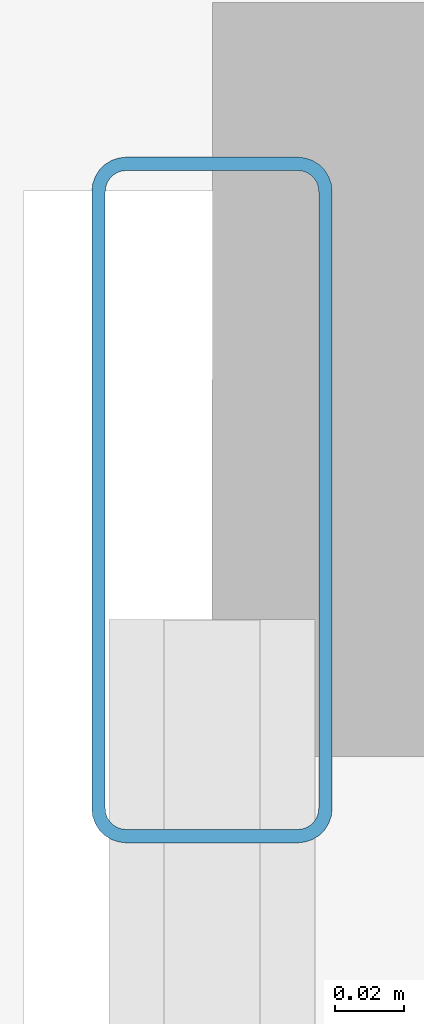
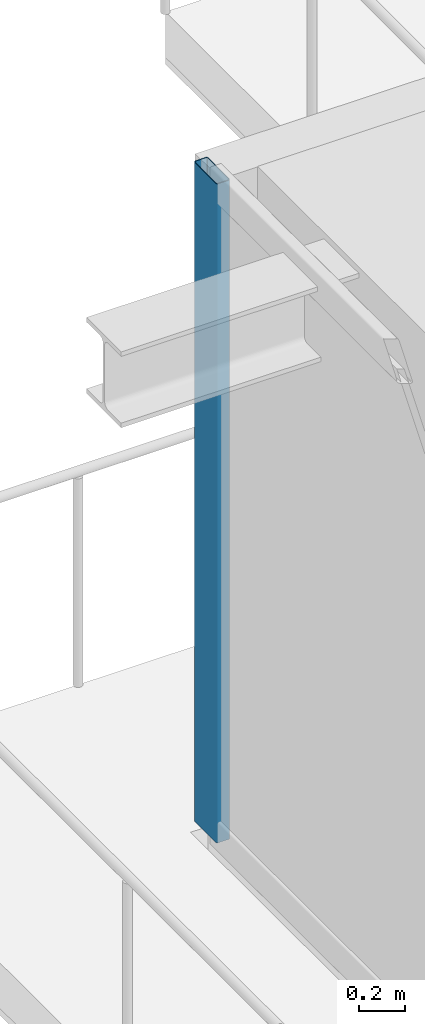
# One storey, part 18 of 39: 1 member, 1 element without a shape of its own.
"""IFC4 building model written with IfcOpenShell, lengths in metres."""

import ifcopenshell
import ifcopenshell.guid

model = None  # the IFC model being written
_history = None  # IfcOwnerHistory: only IFC2X3 demands one
_inside = {}  # id of a spatial element -> (the spatial element, [elements in it])
_under = {}  # id of a project, library or spatial element -> (it, [spatial elements below it])
_declared = {}  # id of a project -> (the project, [libraries it declares])
_typed = {}  # id of a type object -> (the type object, [elements of that type])
_made_of = {}  # id of a material, layer set ... -> (it, [elements and type objects made of it])


def new_model(schema):
    """Start an empty IFC model of exactly this schema.

    Asked for "IFC4X3", IfcOpenShell would pick the latest addendum, in which some entities
    have other attributes; the version numbers below select the first issue.
    IFC2X3 requires an IfcOwnerHistory on every rooted entity: one is made here for all.
    """
    global model, _history
    if schema == "IFC4X3":
        model = ifcopenshell.file(schema_version=(4, 3, 0, 0))
    else:
        model = ifcopenshell.file(schema=schema)
    _inside.clear()
    _under.clear()
    _declared.clear()
    _typed.clear()
    _made_of.clear()
    _history = None
    if model.schema == "IFC2X3":
        org = make("IfcOrganization", Name="unknown")
        user = make(
            "IfcPersonAndOrganization",
            ThePerson=make("IfcPerson", FamilyName="unknown"),
            TheOrganization=org,
        )
        app = make(
            "IfcApplication",
            ApplicationDeveloper=org,
            Version="unknown",
            ApplicationFullName="unknown",
            ApplicationIdentifier="unknown",
        )
        _history = make(
            "IfcOwnerHistory",
            OwningUser=user,
            OwningApplication=app,
            ChangeAction="ADDED",
            CreationDate=0,
        )
    return model


def make(cls, **values):
    """One entity of the class cls with the attributes given. An attribute that is None is left unset."""
    return model.create_entity(
        cls, **{name: value for name, value in values.items() if value is not None}
    )


def rooted(cls, **values):
    """An entity with a GlobalId (a new one), such as an element, a storey or a relation."""
    return make(cls, GlobalId=ifcopenshell.guid.new(), OwnerHistory=_history, **values)


def si_unit(unit_type, name, prefix=None):
    """IfcSIUnit, for example si_unit("LENGTHUNIT", "METRE", prefix="MILLI")."""
    return make("IfcSIUnit", UnitType=unit_type, Prefix=prefix, Name=name)


def assignment(units):
    """IfcUnitAssignment: the units of a project."""
    return None if units is None else make("IfcUnitAssignment", Units=units)


def point(xyz):
    """IfcCartesianPoint."""
    return None if xyz is None else make("IfcCartesianPoint", Coordinates=xyz)


def direction(xyz):
    """IfcDirection."""
    return None if xyz is None else make("IfcDirection", DirectionRatios=xyz)


def frame(location, z_axis=None, x_axis=None):
    """IfcAxis2Placement3D, a coordinate frame: its origin and axes. An axis left out is left unset."""
    return make(
        "IfcAxis2Placement3D",
        Location=point(location),
        Axis=direction(z_axis),
        RefDirection=direction(x_axis),
    )


def frame_2d(location, x_axis=None):
    """IfcAxis2Placement2D, a coordinate frame in the plane: its origin and x axis."""
    return make(
        "IfcAxis2Placement2D", Location=point(location), RefDirection=direction(x_axis)
    )


def origin():
    """The frame at (0, 0, 0) with its axes left unset."""
    return frame((0.0, 0.0, 0.0))


def origin_2d():
    """The frame at (0, 0) in the plane with its x axis left unset."""
    return frame_2d((0.0, 0.0))


def place(relative_to, where):
    """IfcLocalPlacement: puts the frame where relative to a parent placement (None: the world)."""
    return make(
        "IfcLocalPlacement", PlacementRelTo=relative_to, RelativePlacement=where
    )


def context(
    kind, dimensions, precision=None, world=None, true_north=None, identifier=None
):
    """IfcGeometricRepresentationContext, for example the 3D "Model" context."""
    return make(
        "IfcGeometricRepresentationContext",
        ContextIdentifier=identifier,
        ContextType=kind,
        CoordinateSpaceDimension=dimensions,
        Precision=precision,
        WorldCoordinateSystem=world,
        TrueNorth=true_north,
    )


def subcontext(parent, identifier, kind, view, scale=None):
    """IfcGeometricRepresentationSubContext, for example "Body" below "Model"."""
    return make(
        "IfcGeometricRepresentationSubContext",
        ContextIdentifier=identifier,
        ContextType=kind,
        ParentContext=parent,
        TargetScale=scale,
        TargetView=view,
    )


def project(units=None, contexts=None):
    """IfcProject with its units and contexts."""
    return rooted(
        "IfcProject",
        Name="project",
        RepresentationContexts=contexts,
        UnitsInContext=assignment(units),
    )


def spatial(cls, under=None, at=None, **own):
    """A site, building, storey or space (cls), placed at a placement, below another one or the project."""
    s = rooted(cls, ObjectPlacement=at, **own)
    if under is not None:
        _under.setdefault(under.id(), (under, []))[1].append(s)
    return s


def profile(cls, at=None, kind="AREA", **sizes):
    """A parametric profile (cls). Its sizes go by their IFC names, for example OverallWidth=200.0."""
    return make(cls, ProfileType=kind, Position=at, **sizes)


def hollow_rectangle(**sizes):
    """IfcRectangleHollowProfileDef."""
    return profile("IfcRectangleHollowProfileDef", **sizes)


def extrude(swept, where, along, depth):
    """IfcExtrudedAreaSolid: the profile swept, set in the frame where, extruded along a direction by depth."""
    return make(
        "IfcExtrudedAreaSolid",
        SweptArea=swept,
        Position=where,
        ExtrudedDirection=direction(along),
        Depth=depth,
    )


def shape(context_of_items, identifier, shape_type, items):
    """IfcShapeRepresentation: the items that make up one representation, for example the "Body"."""
    return make(
        "IfcShapeRepresentation",
        ContextOfItems=context_of_items,
        RepresentationIdentifier=identifier,
        RepresentationType=shape_type,
        Items=items,
    )


def source(mapping_origin, context_of_items, identifier, shape_type, items):
    """IfcRepresentationMap: a shape defined once, which mapped items show again and again."""
    return make(
        "IfcRepresentationMap",
        MappingOrigin=mapping_origin,
        MappedRepresentation=shape(context_of_items, identifier, shape_type, items),
    )


def transform(
    local_origin,
    x_axis=None,
    y_axis=None,
    z_axis=None,
    scale=None,
    scale2=None,
    scale3=None,
    uniform=True,
):
    """IfcCartesianTransformationOperator3D, or its non-uniform kind. x_axis, y_axis, z_axis: its Axis1, 2, 3."""
    if uniform:
        return make(
            "IfcCartesianTransformationOperator3D",
            Axis1=direction(x_axis),
            Axis2=direction(y_axis),
            LocalOrigin=point(local_origin),
            Scale=scale,
            Axis3=direction(z_axis),
        )
    return make(
        "IfcCartesianTransformationOperator3DnonUniform",
        Axis1=direction(x_axis),
        Axis2=direction(y_axis),
        LocalOrigin=point(local_origin),
        Scale=scale,
        Axis3=direction(z_axis),
        Scale2=scale2,
        Scale3=scale3,
    )


def mapped(mapping_source, mapping_target):
    """IfcMappedItem: shows the shape of a source again, moved by a transform."""
    return make(
        "IfcMappedItem", MappingSource=mapping_source, MappingTarget=mapping_target
    )


def material(Name=None, Category=None):
    """IfcMaterial."""
    return make("IfcMaterial", Name=Name, Category=Category)


def layer(
    of_material, thickness, ventilated=None, Name=None, Category=None, Priority=None
):
    """IfcMaterialLayer: one layer of a wall or slab, of a material (None: an air gap)."""
    return make(
        "IfcMaterialLayer",
        Material=of_material,
        LayerThickness=thickness,
        IsVentilated=ventilated,
        Name=Name,
        Category=Category,
        Priority=Priority,
    )


def layer_set(layers, Name=None):
    """IfcMaterialLayerSet."""
    return make("IfcMaterialLayerSet", MaterialLayers=layers, LayerSetName=Name)


def material_profile(
    of_material, cross_section, Name=None, Category=None, Priority=None
):
    """IfcMaterialProfile: a cross section and its material."""
    return make(
        "IfcMaterialProfile",
        Name=Name,
        Material=of_material,
        Profile=cross_section,
        Priority=Priority,
        Category=Category,
    )


def profile_set(profiles, Name=None, composite=None):
    """IfcMaterialProfileSet."""
    return make(
        "IfcMaterialProfileSet",
        Name=Name,
        MaterialProfiles=profiles,
        CompositeProfile=composite,
    )


def made_of(thing, what):
    """Note that an element or type object is made of a material, layer set ...; save() writes the relation."""
    if what is not None:
        _made_of.setdefault(what.id(), (what, []))[1].append(thing)
    return thing


def type_object(cls, material=None, **own):
    """A type object (cls), such as IfcWallType, which elements share."""
    return made_of(rooted(cls, **own), material)


def element(
    cls,
    number,
    at=None,
    inside=None,
    cuts=None,
    type_object=None,
    material=None,
    context=None,
    identifier="Body",
    shape_type=None,
    held_by="IfcProductDefinitionShape",
    body=None,
    shapes=None,
    **own,
):
    """One element of the class cls, such as IfcWall. Its Tag is "e" and its number.

    at: its placement. inside: the storey or other place that contains it. cuts: it is an
    opening in that element (IfcRelVoidsElement). A single representation is given by context,
    identifier, shape_type and body (its items); several are given by shapes. held_by: the class
    of the entity that holds the representations. save() writes the other relations.
    """
    e = rooted(cls, Tag="e%d" % number, ObjectPlacement=at, **own)
    if body is not None:
        shapes = [shape(context, identifier, shape_type, body)]
    if shapes is not None:
        e.Representation = make(held_by, Representations=shapes)
    if inside is not None:
        _inside.setdefault(inside.id(), (inside, []))[1].append(e)
    if cuts is not None:
        rooted(
            "IfcRelVoidsElement", RelatingBuildingElement=cuts, RelatedOpeningElement=e
        )
    if type_object is not None:
        _typed.setdefault(type_object.id(), (type_object, []))[1].append(e)
    return made_of(e, material)


def aggregate(whole, parts):
    """IfcRelAggregates: a whole, such as a stair, and the parts it consists of."""
    return rooted("IfcRelAggregates", RelatingObject=whole, RelatedObjects=parts)


def save(model, path):
    """Write the relations noted so far, then the file.

    IfcRelAggregates (storeys below a building ...), IfcRelContainedInSpatialStructure (elements
    in a storey), IfcRelDefinesByType, IfcRelAssociatesMaterial and IfcRelDeclares: one each for
    every whole, place, type object, material and project.
    """
    for whole, parts in _under.values():
        aggregate(whole, parts)
    for where, things in _inside.values():
        rooted(
            "IfcRelContainedInSpatialStructure",
            RelatedElements=things,
            RelatingStructure=where,
        )
    for kind, things in _typed.values():
        rooted("IfcRelDefinesByType", RelatedObjects=things, RelatingType=kind)
    for what, things in _made_of.values():
        rooted("IfcRelAssociatesMaterial", RelatedObjects=things, RelatingMaterial=what)
    for by, libraries in _declared.values():
        rooted("IfcRelDeclares", RelatingContext=by, RelatedDefinitions=libraries)
    model.write(path)


model = new_model("IFC4")

# Units and contexts
model_context = context("Model", 3, precision=1e-05, world=origin(), true_north=direction((0.0, 1.0)))
body_context = subcontext(model_context, "Body", "Model", "MODEL_VIEW")
ifc_project = project(units=[si_unit("LENGTHUNIT", "METRE"), si_unit("AREAUNIT", "SQUARE_METRE"), si_unit("VOLUMEUNIT", "CUBIC_METRE"), si_unit("PLANEANGLEUNIT", "RADIAN"), si_unit("MASSUNIT", "GRAM", prefix="KILO")], contexts=[model_context])

# Site, building, storey
site_placement = place(None, origin())
site = spatial("IfcSite", under=ifc_project, at=site_placement, CompositionType="ELEMENT")
building_placement = place(site_placement, origin())
building = spatial("IfcBuilding", under=site, at=building_placement, Name="Serunith Strait Residences", CompositionType="ELEMENT")
storey_placement = place(building_placement, frame((0.0, 0.0, 79.199951171875)))
storey = spatial("IfcBuildingStorey", under=building, at=storey_placement, Name="L19", CompositionType="ELEMENT", Elevation=79.199951171875)

# Curtain wall, member
ifc_material = material(Name="Pale-Champagne Anodised Aluminium", Category="aluminium")
ifc_layer = layer(ifc_material, 0.199951171875, Name="Pale-Champagne Anodised Aluminium")
ifc_layer_set = layer_set([ifc_layer], Name="Pale-Champagne Anodised Aluminium")
curtain_wall_type = type_object("IfcCurtainWallType", Name="CW-SYS1", PredefinedType="NOTDEFINED", material=ifc_layer_set)
curtain_wall_placement = place(storey_placement, origin())
curtain_wall = element("IfcCurtainWall", 1, at=curtain_wall_placement, inside=storey, type_object=curtain_wall_type, Name="L19 W Unitised Fritted Curtain Wall", PredefinedType="NOTDEFINED")
ifc_material_profile = material_profile(ifc_material, hollow_rectangle(XDim=0.070068359375, YDim=0.199951171875, WallThickness=0.00390625, InnerFilletRadius=0.006103515625, OuterFilletRadius=0.010009765625, at=origin_2d()), Name="ALU 200x70x4")
ifc_profile_set = profile_set([ifc_material_profile], Name="Pale-Champagne Anodised Aluminium")
member_type = type_object("IfcMemberType", Name="CW-SYS1-MULL", PredefinedType="MULLION", material=ifc_profile_set)
shared_shape = source(origin(), body_context, "Body", "SweptSolid", [
    extrude(hollow_rectangle(XDim=0.070068359375, YDim=0.199951171875, WallThickness=0.00390625, InnerFilletRadius=0.006103515625, OuterFilletRadius=0.010009765625, at=origin_2d()), origin(), (0.0, 0.0, 1.0), 3.47509765625),
])
member_placement = place(storey_placement, frame((6.0, 41.764892578125, 0.0), z_axis=(0.0, 0.0, 1.0), x_axis=(1.0, 0.0, 0.0)))
member = element("IfcMember", 2, at=member_placement, type_object=member_type, Name="CW-1 mullion 1", PredefinedType="MULLION", context=body_context, shape_type="MappedRepresentation", body=[
    mapped(shared_shape, transform((0.0, 0.0, 0.0), scale=1.0)),
])
aggregate(curtain_wall, [member])

save(model, "model.ifc")
